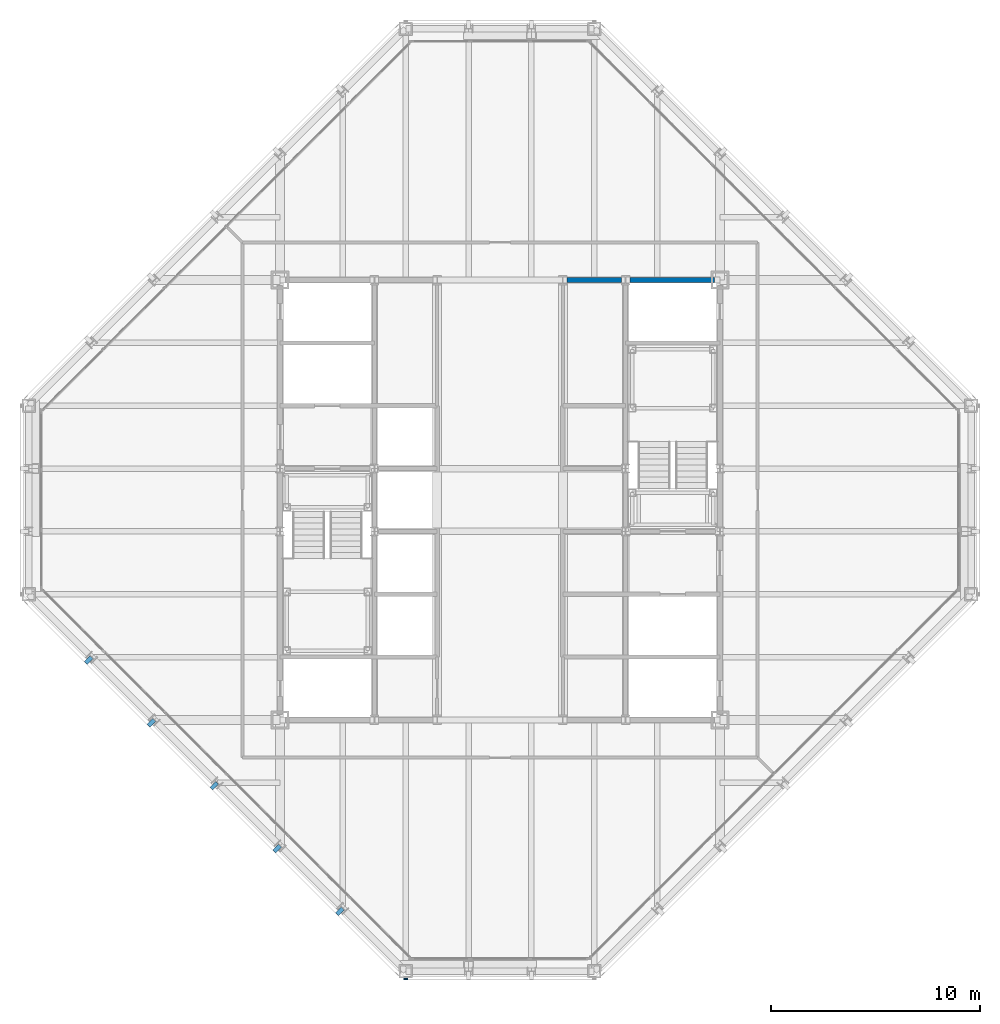
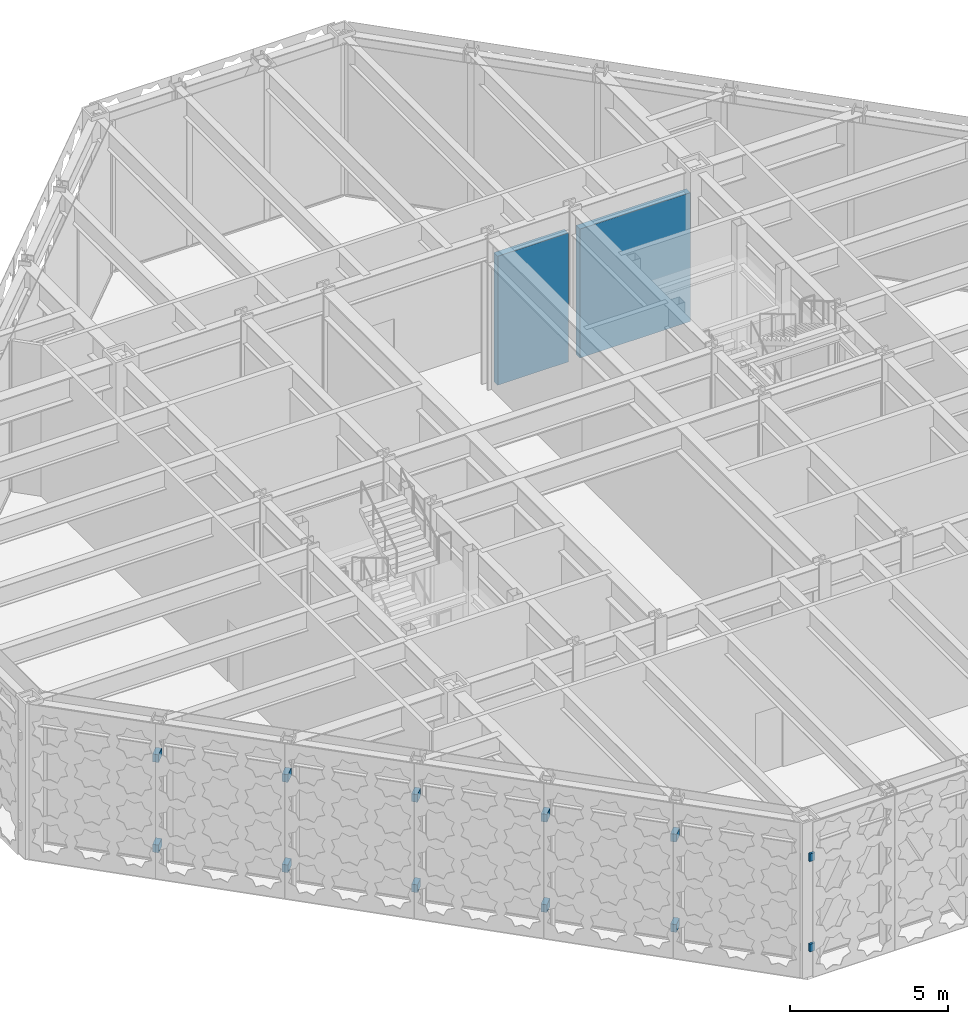
# One storey, part 12 of 28: 12 discrete accessories, 2 walls.
"""IFC4 building model written with IfcOpenShell, lengths in metres."""

from ifc_helpers import new_model, si_unit, direction, frame, frame_2d, origin, origin_2d, place, context, subcontext, project, spatial, rectangle, extrude, material, layer, layer_set, type_object, element, save


model = new_model("IFC4")

# Units and contexts
model_context = context("Model", 3, precision=1e-05, world=origin(), true_north=direction((0.0, 1.0)))
body_context = subcontext(model_context, "Body", "Model", "MODEL_VIEW")
ifc_project = project(units=[si_unit("LENGTHUNIT", "METRE"), si_unit("AREAUNIT", "SQUARE_METRE"), si_unit("VOLUMEUNIT", "CUBIC_METRE"), si_unit("PLANEANGLEUNIT", "RADIAN"), si_unit("MASSUNIT", "GRAM", prefix="KILO")], contexts=[model_context])

# Site, building, storey
site_placement = place(None, origin())
site = spatial("IfcSite", under=ifc_project, at=site_placement, CompositionType="ELEMENT")
building_placement = place(site_placement, origin())
building = spatial("IfcBuilding", under=site, at=building_placement, Name="Chuquiago Exchange Tower", CompositionType="ELEMENT")
storey_placement = place(building_placement, frame((0.0, 0.0, 300.0)))
storey = spatial("IfcBuildingStorey", under=building, at=storey_placement, Name="L67", CompositionType="ELEMENT", Elevation=300.0)

# Walls
ifc_material_1 = material(Name="Concrete masonry, fully grouted", Category="masonry")
ifc_layer = layer(ifc_material_1, 0.25)
ifc_layer_set = layer_set([ifc_layer], Name="W1 core wall 250")
wall_type = type_object("IfcWallType", Name="W1 core wall 250", PredefinedType="SOLIDWALL", material=ifc_layer_set)
wall_1_placement = place(storey_placement, frame((25.708251953125, 33.0, 0.0), z_axis=(0.0, 0.0, 1.0), x_axis=(1.0, 0.0, 0.0)))
element("IfcWall", 1, at=wall_1_placement, inside=storey, type_object=wall_type, Name="CW-L67-12-0", PredefinedType="SOLIDWALL", context=body_context, shape_type="SweptSolid", body=[
    extrude(rectangle(XDim=2.58349609375, YDim=0.25, at=frame_2d((1.291748046875, 0.0))), origin(), (0.0, 0.0, 1.0), 4.9814453125),
])
wall_2_placement = place(storey_placement, frame((28.708251953125, 33.0, 0.0), z_axis=(0.0, 0.0, 1.0), x_axis=(1.0, 0.0, 0.0)))
element("IfcWall", 2, at=wall_2_placement, inside=storey, type_object=wall_type, Name="CW-L67-12-1", PredefinedType="SOLIDWALL", context=body_context, shape_type="SweptSolid", body=[
    extrude(rectangle(XDim=4.041748046875, YDim=0.25, at=frame_2d((2.02099609375, 0.0))), origin(), (0.0, 0.0, 1.0), 4.9814453125),
])

# Discrete accessories
ifc_material_2 = material(Name="Stainless steel plate bracket", Category="steel")
discrete_accessory_type_1 = type_object("IfcDiscreteAccessoryType", Name="GB2 cladding bracket 386", PredefinedType="BRACKET", material=ifc_material_2)
for number, where, z_axis, x_axis, name in (
    (3, (2.853759765625, 14.853759765625, 1.0048828125), (0.0, 0.0, 1.0), (0.707106781187, -0.707106781187, 0.0), "Cladding bracket L67 SW"),
    (4, (2.853759765625, 14.853759765625, 4.4951171875), (0.0, 0.0, 1.0), (0.707106781187, -0.707106781187, 0.0), "Cladding bracket L67 SW"),
    (5, (5.853759765625, 11.853759765625, 1.0048828125), (0.0, 0.0, 1.0), (0.707106781187, -0.707106781187, 0.0), "Cladding bracket L67 SW"),
    (6, (5.853759765625, 11.853759765625, 4.4951171875), (0.0, 0.0, 1.0), (0.707106781187, -0.707106781187, 0.0), "Cladding bracket L67 SW"),
    (7, (8.853759765625, 8.853759765625, 1.0048828125), (0.0, 0.0, 1.0), (0.707106781187, -0.707106781187, 0.0), "Cladding bracket L67 SW"),
    (8, (8.853759765625, 8.853759765625, 4.4951171875), (0.0, 0.0, 1.0), (0.707106781187, -0.707106781187, 0.0), "Cladding bracket L67 SW"),
    (9, (11.853759765625, 5.853759765625, 1.0048828125), (0.0, 0.0, 1.0), (0.707106781187, -0.707106781187, 0.0), "Cladding bracket L67 SW"),
    (10, (11.853759765625, 5.853759765625, 4.4951171875), (0.0, 0.0, 1.0), (0.707106781187, -0.707106781187, 0.0), "Cladding bracket L67 SW"),
    (11, (14.853759765625, 2.853759765625, 1.0048828125), (0.0, 0.0, 1.0), (0.707106781187, -0.707106781187, 0.0), "Cladding bracket L67 SW"),
    (12, (14.853759765625, 2.853759765625, 4.4951171875), (0.0, 0.0, 1.0), (0.707106781187, -0.707106781187, 0.0), "Cladding bracket L67 SW"),
):
    element("IfcDiscreteAccessory", number, at=place(storey_placement, frame(where, z_axis=z_axis, x_axis=x_axis)), inside=storey, type_object=discrete_accessory_type_1, Name=name, PredefinedType="BRACKET", context=body_context, shape_type="SweptSolid", body=[
        extrude(rectangle(XDim=0.199951171875, YDim=0.386474609375, at=origin_2d()), origin(), (0.0, 0.0, 1.0), 0.300048828125),
    ])
ifc_material_3 = material(Name="Stainless steel plate bracket", Category="steel")
discrete_accessory_type_2 = type_object("IfcDiscreteAccessoryType", Name="GB4 cladding bracket 75", PredefinedType="BRACKET", material=ifc_material_3)
for number, where, z_axis, x_axis, name in (
    (13, (18.0, -0.362548828125, 1.0048828125), (0.0, 0.0, 1.0), (1.0, 0.0, 0.0), "Cladding bracket L67 S"),
    (14, (18.0, -0.362548828125, 4.4951171875), (0.0, 0.0, 1.0), (1.0, 0.0, 0.0), "Cladding bracket L67 S"),
):
    element("IfcDiscreteAccessory", number, at=place(storey_placement, frame(where, z_axis=z_axis, x_axis=x_axis)), inside=storey, type_object=discrete_accessory_type_2, Name=name, PredefinedType="BRACKET", context=body_context, shape_type="SweptSolid", body=[
        extrude(rectangle(XDim=0.199951171875, YDim=0.074951171875, at=origin_2d()), origin(), (0.0, 0.0, 1.0), 0.300048828125),
    ])

save(model, "model.ifc")
